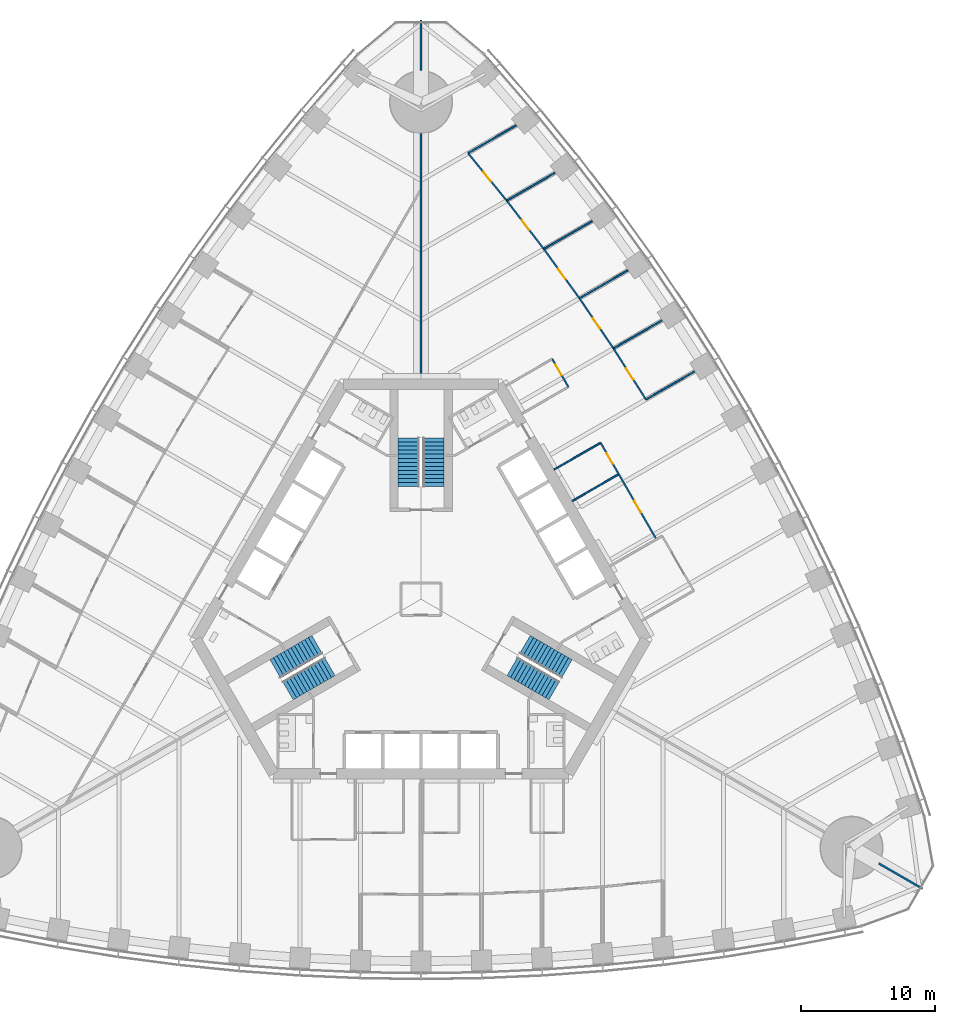
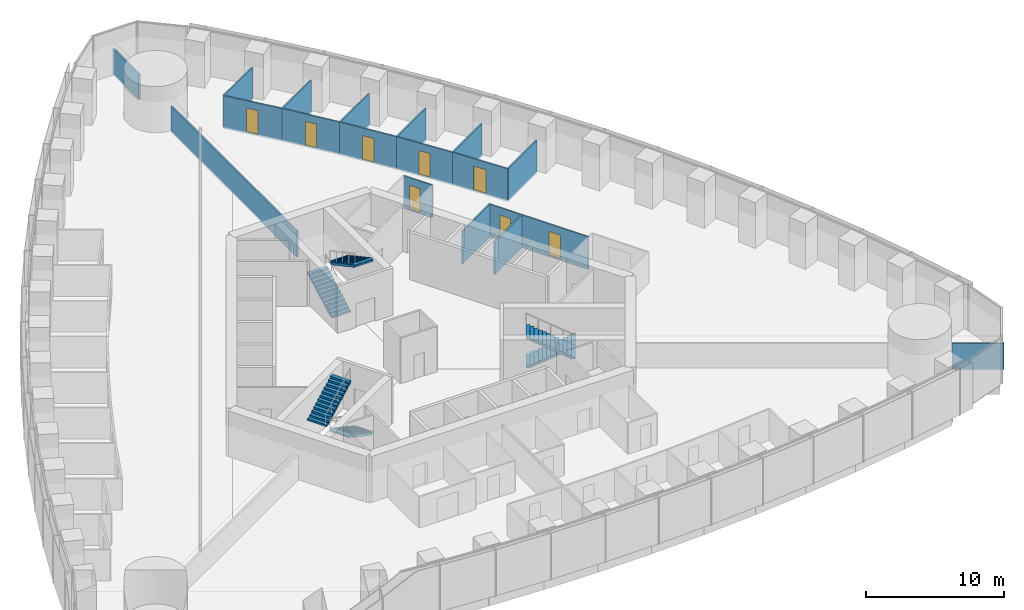
# One storey, part 13 of 18: 19 walls, 8 doors, 6 stair flights, 8 openings, 3 elements without a shape of their own.
"""IFC4 building model written with IfcOpenShell, lengths in metres."""

import ifcopenshell
import ifcopenshell.guid

model = None  # the IFC model being written
_history = None  # IfcOwnerHistory: only IFC2X3 demands one
_inside = {}  # id of a spatial element -> (the spatial element, [elements in it])
_under = {}  # id of a project, library or spatial element -> (it, [spatial elements below it])
_declared = {}  # id of a project -> (the project, [libraries it declares])
_typed = {}  # id of a type object -> (the type object, [elements of that type])
_made_of = {}  # id of a material, layer set ... -> (it, [elements and type objects made of it])


def new_model(schema):
    """Start an empty IFC model of exactly this schema.

    Asked for "IFC4X3", IfcOpenShell would pick the latest addendum, in which some entities
    have other attributes; the version numbers below select the first issue.
    IFC2X3 requires an IfcOwnerHistory on every rooted entity: one is made here for all.
    """
    global model, _history
    if schema == "IFC4X3":
        model = ifcopenshell.file(schema_version=(4, 3, 0, 0))
    else:
        model = ifcopenshell.file(schema=schema)
    _inside.clear()
    _under.clear()
    _declared.clear()
    _typed.clear()
    _made_of.clear()
    _history = None
    if model.schema == "IFC2X3":
        org = make("IfcOrganization", Name="unknown")
        user = make(
            "IfcPersonAndOrganization",
            ThePerson=make("IfcPerson", FamilyName="unknown"),
            TheOrganization=org,
        )
        app = make(
            "IfcApplication",
            ApplicationDeveloper=org,
            Version="unknown",
            ApplicationFullName="unknown",
            ApplicationIdentifier="unknown",
        )
        _history = make(
            "IfcOwnerHistory",
            OwningUser=user,
            OwningApplication=app,
            ChangeAction="ADDED",
            CreationDate=0,
        )
    return model


def make(cls, **values):
    """One entity of the class cls with the attributes given. An attribute that is None is left unset."""
    return model.create_entity(
        cls, **{name: value for name, value in values.items() if value is not None}
    )


def rooted(cls, **values):
    """An entity with a GlobalId (a new one), such as an element, a storey or a relation."""
    return make(cls, GlobalId=ifcopenshell.guid.new(), OwnerHistory=_history, **values)


def si_unit(unit_type, name, prefix=None):
    """IfcSIUnit, for example si_unit("LENGTHUNIT", "METRE", prefix="MILLI")."""
    return make("IfcSIUnit", UnitType=unit_type, Prefix=prefix, Name=name)


def assignment(units):
    """IfcUnitAssignment: the units of a project."""
    return None if units is None else make("IfcUnitAssignment", Units=units)


def point(xyz):
    """IfcCartesianPoint."""
    return None if xyz is None else make("IfcCartesianPoint", Coordinates=xyz)


def direction(xyz):
    """IfcDirection."""
    return None if xyz is None else make("IfcDirection", DirectionRatios=xyz)


def frame(location, z_axis=None, x_axis=None):
    """IfcAxis2Placement3D, a coordinate frame: its origin and axes. An axis left out is left unset."""
    return make(
        "IfcAxis2Placement3D",
        Location=point(location),
        Axis=direction(z_axis),
        RefDirection=direction(x_axis),
    )


def frame_2d(location, x_axis=None):
    """IfcAxis2Placement2D, a coordinate frame in the plane: its origin and x axis."""
    return make(
        "IfcAxis2Placement2D", Location=point(location), RefDirection=direction(x_axis)
    )


def origin():
    """The frame at (0, 0, 0) with its axes left unset."""
    return frame((0.0, 0.0, 0.0))


def place(relative_to, where):
    """IfcLocalPlacement: puts the frame where relative to a parent placement (None: the world)."""
    return make(
        "IfcLocalPlacement", PlacementRelTo=relative_to, RelativePlacement=where
    )


def context(
    kind, dimensions, precision=None, world=None, true_north=None, identifier=None
):
    """IfcGeometricRepresentationContext, for example the 3D "Model" context."""
    return make(
        "IfcGeometricRepresentationContext",
        ContextIdentifier=identifier,
        ContextType=kind,
        CoordinateSpaceDimension=dimensions,
        Precision=precision,
        WorldCoordinateSystem=world,
        TrueNorth=true_north,
    )


def subcontext(parent, identifier, kind, view, scale=None):
    """IfcGeometricRepresentationSubContext, for example "Body" below "Model"."""
    return make(
        "IfcGeometricRepresentationSubContext",
        ContextIdentifier=identifier,
        ContextType=kind,
        ParentContext=parent,
        TargetScale=scale,
        TargetView=view,
    )


def project(units=None, contexts=None):
    """IfcProject with its units and contexts."""
    return rooted(
        "IfcProject",
        Name="project",
        RepresentationContexts=contexts,
        UnitsInContext=assignment(units),
    )


def spatial(cls, under=None, at=None, **own):
    """A site, building, storey or space (cls), placed at a placement, below another one or the project."""
    s = rooted(cls, ObjectPlacement=at, **own)
    if under is not None:
        _under.setdefault(under.id(), (under, []))[1].append(s)
    return s


def polyline(points):
    """IfcPolyline through the points."""
    return make("IfcPolyline", Points=[point(p) for p in points])


def profile(cls, at=None, kind="AREA", **sizes):
    """A parametric profile (cls). Its sizes go by their IFC names, for example OverallWidth=200.0."""
    return make(cls, ProfileType=kind, Position=at, **sizes)


def rectangle(**sizes):
    """IfcRectangleProfileDef."""
    return profile("IfcRectangleProfileDef", **sizes)


def outline(outer, holes=None, kind="AREA"):
    """IfcArbitraryClosedProfileDef: a profile drawn as a closed curve; with holes, ...WithVoids."""
    if holes is None:
        return make("IfcArbitraryClosedProfileDef", ProfileType=kind, OuterCurve=outer)
    return make(
        "IfcArbitraryProfileDefWithVoids",
        ProfileType=kind,
        OuterCurve=outer,
        InnerCurves=holes,
    )


def extrude(swept, where, along, depth):
    """IfcExtrudedAreaSolid: the profile swept, set in the frame where, extruded along a direction by depth."""
    return make(
        "IfcExtrudedAreaSolid",
        SweptArea=swept,
        Position=where,
        ExtrudedDirection=direction(along),
        Depth=depth,
    )


def shape(context_of_items, identifier, shape_type, items):
    """IfcShapeRepresentation: the items that make up one representation, for example the "Body"."""
    return make(
        "IfcShapeRepresentation",
        ContextOfItems=context_of_items,
        RepresentationIdentifier=identifier,
        RepresentationType=shape_type,
        Items=items,
    )


def material(Name=None, Category=None):
    """IfcMaterial."""
    return make("IfcMaterial", Name=Name, Category=Category)


def layer(
    of_material, thickness, ventilated=None, Name=None, Category=None, Priority=None
):
    """IfcMaterialLayer: one layer of a wall or slab, of a material (None: an air gap)."""
    return make(
        "IfcMaterialLayer",
        Material=of_material,
        LayerThickness=thickness,
        IsVentilated=ventilated,
        Name=Name,
        Category=Category,
        Priority=Priority,
    )


def layer_set(layers, Name=None):
    """IfcMaterialLayerSet."""
    return make("IfcMaterialLayerSet", MaterialLayers=layers, LayerSetName=Name)


def made_of(thing, what):
    """Note that an element or type object is made of a material, layer set ...; save() writes the relation."""
    if what is not None:
        _made_of.setdefault(what.id(), (what, []))[1].append(thing)
    return thing


def type_object(cls, material=None, **own):
    """A type object (cls), such as IfcWallType, which elements share."""
    return made_of(rooted(cls, **own), material)


def element(
    cls,
    number,
    at=None,
    inside=None,
    cuts=None,
    type_object=None,
    material=None,
    context=None,
    identifier="Body",
    shape_type=None,
    held_by="IfcProductDefinitionShape",
    body=None,
    shapes=None,
    **own,
):
    """One element of the class cls, such as IfcWall. Its Tag is "e" and its number.

    at: its placement. inside: the storey or other place that contains it. cuts: it is an
    opening in that element (IfcRelVoidsElement). A single representation is given by context,
    identifier, shape_type and body (its items); several are given by shapes. held_by: the class
    of the entity that holds the representations. save() writes the other relations.
    """
    e = rooted(cls, Tag="e%d" % number, ObjectPlacement=at, **own)
    if body is not None:
        shapes = [shape(context, identifier, shape_type, body)]
    if shapes is not None:
        e.Representation = make(held_by, Representations=shapes)
    if inside is not None:
        _inside.setdefault(inside.id(), (inside, []))[1].append(e)
    if cuts is not None:
        rooted(
            "IfcRelVoidsElement", RelatingBuildingElement=cuts, RelatedOpeningElement=e
        )
    if type_object is not None:
        _typed.setdefault(type_object.id(), (type_object, []))[1].append(e)
    return made_of(e, material)


def fill(opening, filler):
    """IfcRelFillsElement: the door or window that sits in an opening."""
    return rooted(
        "IfcRelFillsElement",
        RelatingOpeningElement=opening,
        RelatedBuildingElement=filler,
    )


def aggregate(whole, parts):
    """IfcRelAggregates: a whole, such as a stair, and the parts it consists of."""
    return rooted("IfcRelAggregates", RelatingObject=whole, RelatedObjects=parts)


def save(model, path):
    """Write the relations noted so far, then the file.

    IfcRelAggregates (storeys below a building ...), IfcRelContainedInSpatialStructure (elements
    in a storey), IfcRelDefinesByType, IfcRelAssociatesMaterial and IfcRelDeclares: one each for
    every whole, place, type object, material and project.
    """
    for whole, parts in _under.values():
        aggregate(whole, parts)
    for where, things in _inside.values():
        rooted(
            "IfcRelContainedInSpatialStructure",
            RelatedElements=things,
            RelatingStructure=where,
        )
    for kind, things in _typed.values():
        rooted("IfcRelDefinesByType", RelatedObjects=things, RelatingType=kind)
    for what, things in _made_of.values():
        rooted("IfcRelAssociatesMaterial", RelatedObjects=things, RelatingMaterial=what)
    for by, libraries in _declared.values():
        rooted("IfcRelDeclares", RelatingContext=by, RelatedDefinitions=libraries)
    model.write(path)


model = new_model("IFC4")

# Units and contexts
model_context = context("Model", 3, precision=1e-05, world=origin(), true_north=direction((0.0, 1.0)))
body_context = subcontext(model_context, "Body", "Model", "MODEL_VIEW")
ifc_project = project(units=[si_unit("LENGTHUNIT", "METRE"), si_unit("AREAUNIT", "SQUARE_METRE"), si_unit("VOLUMEUNIT", "CUBIC_METRE"), si_unit("PLANEANGLEUNIT", "RADIAN"), si_unit("MASSUNIT", "GRAM", prefix="KILO")], contexts=[model_context])

# Site, building, storey
site_placement = place(None, origin())
site = spatial("IfcSite", under=ifc_project, at=site_placement, CompositionType="ELEMENT")
building_placement = place(site_placement, origin())
building = spatial("IfcBuilding", under=site, at=building_placement, Name="Trefoil Bronze Tower", CompositionType="ELEMENT")
storey_placement = place(building_placement, frame((0.0, 0.0, 24.89990234375)))
storey = spatial("IfcBuildingStorey", under=building, at=storey_placement, Name="L05", CompositionType="ELEMENT", Elevation=24.89990234375)

# Wall, opening, door
ifc_material_1 = material(Name="Glazed partition", Category="glass")
ifc_layer_1 = layer(ifc_material_1, 0.1201171875)
ifc_layer_set_1 = layer_set([ifc_layer_1], Name="Glazed partition 120")
wall_type_1 = type_object("IfcWallType", Name="Glazed partition 120", PredefinedType="PARTITIONING", material=ifc_layer_set_1)
wall_1_placement = place(storey_placement, frame((14.71875, 9.30615234375, 0.0), z_axis=(0.0, 0.0, 1.0), x_axis=(-0.4999416173, 0.866059108428, 0.0)))
wall_1 = element("IfcWall", 1, at=wall_1_placement, inside=storey, type_object=wall_type_1, Name="Partition F2 L05", PredefinedType="PARTITIONING", context=body_context, shape_type="SweptSolid", body=[
    extrude(rectangle(XDim=2.699951171875, YDim=0.1201171875, at=frame_2d((1.35009765625, 0.0))), origin(), (0.0, 0.0, 1.0), 2.900146484375),
])
opening_1_placement = place(wall_1_placement, frame((0.89990234375, 0.0, 0.14990234375)))
opening_1 = element("IfcOpeningElement", 2, at=opening_1_placement, cuts=wall_1, Name="Opening D8", PredefinedType="OPENING", context=body_context, shape_type="SweptSolid", body=[
    extrude(rectangle(XDim=0.89990234375, YDim=2.10009765625, at=frame_2d((0.449951171875, 1.050048828125))), frame((0.0, 0.070068359375, 0.0), z_axis=(0.0, -1.0, 0.0), x_axis=(1.0, 0.0, 0.0)), (0.0, 0.0, 1.0), 0.14013671875),
])
ifc_material_2 = material(Name="Timber door", Category="wood")
door_type_1 = type_object("IfcDoorType", Name="Office door 900", OperationType="SINGLE_SWING_LEFT", PredefinedType="DOOR", material=ifc_material_2)
door_1_placement = place(opening_1_placement, origin())
door_1 = element("IfcDoor", 3, at=door_1_placement, inside=storey, type_object=door_type_1, Name="Pantry door F2 L05", OperationType="SINGLE_SWING_RIGHT", OverallHeight=2.10009765625, OverallWidth=0.89990234375, PredefinedType="DOOR", context=body_context, shape_type="SweptSolid", body=[
    extrude(rectangle(XDim=0.89990234375, YDim=2.10009765625, at=frame_2d((0.449951171875, 1.050048828125))), frame((0.0, 0.02490234375, 0.0), z_axis=(0.0, -1.0, 0.0), x_axis=(1.0, 0.0, 0.0)), (0.0, 0.0, 1.0), 0.050048828125),
])
fill(opening_1, door_1)

wall_2_placement = place(storey_placement, frame((10.96875, 15.801513671875, 0.0), z_axis=(0.0, 0.0, 1.0), x_axis=(-0.500001309137, 0.866024647952, 0.0)))
wall_2 = element("IfcWall", 4, at=wall_2_placement, inside=storey, type_object=wall_type_1, Name="Partition F2 L05", PredefinedType="PARTITIONING", context=body_context, shape_type="SweptSolid", body=[
    extrude(rectangle(XDim=2.39990234375, YDim=0.1201171875, at=frame_2d((1.199951171875, 0.0))), origin(), (0.0, 0.0, 1.0), 2.900146484375),
])
opening_2_placement = place(wall_2_placement, frame((1.0, 0.0, 0.14990234375)))
opening_2 = element("IfcOpeningElement", 5, at=opening_2_placement, cuts=wall_2, Name="Opening D8", PredefinedType="OPENING", context=body_context, shape_type="SweptSolid", body=[
    extrude(rectangle(XDim=0.89990234375, YDim=2.10009765625, at=frame_2d((0.449951171875, 1.050048828125))), frame((0.0, 0.070068359375, 0.0), z_axis=(0.0, -1.0, 0.0), x_axis=(1.0, 0.0, 0.0)), (0.0, 0.0, 1.0), 0.14013671875),
])
door_2_placement = place(opening_2_placement, origin())
door_2 = element("IfcDoor", 6, at=door_2_placement, inside=storey, type_object=door_type_1, Name="Comms room door F2 L05", OperationType="SINGLE_SWING_RIGHT", OverallHeight=2.10009765625, OverallWidth=0.89990234375, PredefinedType="DOOR", context=body_context, shape_type="SweptSolid", body=[
    extrude(rectangle(XDim=0.89990234375, YDim=2.10009765625, at=frame_2d((0.449951171875, 1.050048828125))), frame((0.0, 0.02490234375, 0.0), z_axis=(0.0, -1.0, 0.0), x_axis=(1.0, 0.0, 0.0)), (0.0, 0.0, 1.0), 0.050048828125),
])
fill(opening_2, door_2)

wall_3_placement = place(storey_placement, frame((17.518798828125, 4.45654296875, 0.0), z_axis=(0.0, 0.0, 1.0), x_axis=(-0.500016814911, 0.866015695474, 0.0)))
wall_3 = element("IfcWall", 7, at=wall_3_placement, inside=storey, type_object=wall_type_1, Name="Partition F2 L05", PredefinedType="PARTITIONING", context=body_context, shape_type="SweptSolid", body=[
    extrude(rectangle(XDim=5.599853515625, YDim=0.1201171875, at=frame_2d((2.7998046875, 0.0))), origin(), (0.0, 0.0, 1.0), 2.900146484375),
])
opening_3_placement = place(wall_3_placement, frame((2.300048828125, 0.0, 0.14990234375)))
opening_3 = element("IfcOpeningElement", 8, at=opening_3_placement, cuts=wall_3, Name="Opening D9", PredefinedType="OPENING", context=body_context, shape_type="SweptSolid", body=[
    extrude(rectangle(XDim=1.0, YDim=2.10009765625, at=frame_2d((0.5, 1.050048828125))), frame((0.0, 0.070068359375, 0.0), z_axis=(0.0, -1.0, 0.0), x_axis=(1.0, 0.0, 0.0)), (0.0, 0.0, 1.0), 0.14013671875),
])
ifc_material_3 = material(Name="Glazed timber door", Category="wood")
door_type_2 = type_object("IfcDoorType", Name="Meeting room door 1000", OperationType="SINGLE_SWING_LEFT", PredefinedType="DOOR", material=ifc_material_3)
door_3_placement = place(opening_3_placement, origin())
door_3 = element("IfcDoor", 9, at=door_3_placement, inside=storey, type_object=door_type_2, Name="Meeting room door F2 L05", OperationType="SINGLE_SWING_LEFT", OverallHeight=2.10009765625, OverallWidth=1.0, PredefinedType="DOOR", context=body_context, shape_type="SweptSolid", body=[
    extrude(rectangle(XDim=1.0, YDim=2.10009765625, at=frame_2d((0.5, 1.050048828125))), frame((0.0, 0.02490234375, 0.0), z_axis=(0.0, -1.0, 0.0), x_axis=(1.0, 0.0, 0.0)), (0.0, 0.0, 1.0), 0.050048828125),
])
fill(opening_3, door_3)

# Walls
for number, where, z_axis, x_axis, name in (
    (10, (11.254638671875, 7.30615234375, 0.0), (0.0, 0.0, 1.0), (0.866026010844, 0.49999894854, 0.0), "Partition F2 L05"),
    (11, (9.90478515625, 9.64453125, 0.0), (0.0, 0.0, 1.0), (0.866026010844, 0.49999894854, 0.0), "Partition F2 L05"),
):
    element("IfcWall", number, at=place(storey_placement, frame(where, z_axis=z_axis, x_axis=x_axis)), inside=storey, type_object=wall_type_1, Name=name, PredefinedType="PARTITIONING", context=body_context, shape_type="SweptSolid", body=[
        extrude(rectangle(XDim=4.0, YDim=0.1201171875, at=frame_2d((2.0, 0.0))), origin(), (0.0, 0.0, 1.0), 2.900146484375),
    ])

# Wall, opening, door
wall_4_placement = place(storey_placement, frame((11.791748046875, 22.396240234375, 0.0), z_axis=(0.0, 0.0, 1.0), x_axis=(-0.585376255171, 0.810761765183, 0.0)))
wall_4 = element("IfcWall", 12, at=wall_4_placement, inside=storey, type_object=wall_type_1, Name="Partition F2 L05", PredefinedType="PARTITIONING", context=body_context, shape_type="SweptSolid", body=[
    extrude(rectangle(XDim=4.5234375, YDim=0.1201171875, at=frame_2d((2.26171875, 0.0))), origin(), (0.0, 0.0, 1.0), 2.900146484375),
])
opening_4_placement = place(wall_4_placement, frame((1.800048828125, 0.0, 0.14990234375)))
opening_4 = element("IfcOpeningElement", 13, at=opening_4_placement, cuts=wall_4, Name="Opening D8", PredefinedType="OPENING", context=body_context, shape_type="SweptSolid", body=[
    extrude(rectangle(XDim=0.89990234375, YDim=2.10009765625, at=frame_2d((0.449951171875, 1.050048828125))), frame((0.0, 0.070068359375, 0.0), z_axis=(0.0, -1.0, 0.0), x_axis=(1.0, 0.0, 0.0)), (0.0, 0.0, 1.0), 0.14013671875),
])
door_4_placement = place(opening_4_placement, frame((0.89990234375, 0.0, 0.0), z_axis=(0.0, 0.0, 1.0), x_axis=(-1.0, 0.0, 0.0)))
door_4 = element("IfcDoor", 14, at=door_4_placement, inside=storey, type_object=door_type_1, Name="Office door F2 L05", OperationType="SINGLE_SWING_RIGHT", OverallHeight=2.10009765625, OverallWidth=0.89990234375, PredefinedType="DOOR", context=body_context, shape_type="SweptSolid", body=[
    extrude(rectangle(XDim=0.89990234375, YDim=2.10009765625, at=frame_2d((0.449951171875, 1.050048828125))), frame((0.0, 0.02490234375, 0.0), z_axis=(0.0, -1.0, 0.0), x_axis=(1.0, 0.0, 0.0)), (0.0, 0.0, 1.0), 0.050048828125),
])
fill(opening_4, door_4)

wall_5_placement = place(storey_placement, frame((9.143798828125, 26.063720703125, 0.0), z_axis=(0.0, 0.0, 1.0), x_axis=(-0.608818785139, 0.79330932609, 0.0)))
wall_5 = element("IfcWall", 15, at=wall_5_placement, inside=storey, type_object=wall_type_1, Name="Partition F2 L05", PredefinedType="PARTITIONING", context=body_context, shape_type="SweptSolid", body=[
    extrude(rectangle(XDim=4.5390625, YDim=0.1201171875, at=frame_2d((2.26953125, 0.0))), origin(), (0.0, 0.0, 1.0), 2.900146484375),
])
opening_5_placement = place(wall_5_placement, frame((1.800048828125, 0.0, 0.14990234375)))
opening_5 = element("IfcOpeningElement", 16, at=opening_5_placement, cuts=wall_5, Name="Opening D8", PredefinedType="OPENING", context=body_context, shape_type="SweptSolid", body=[
    extrude(rectangle(XDim=0.89990234375, YDim=2.10009765625, at=frame_2d((0.449951171875, 1.050048828125))), frame((0.0, 0.070068359375, 0.0), z_axis=(0.0, -1.0, 0.0), x_axis=(1.0, 0.0, 0.0)), (0.0, 0.0, 1.0), 0.14013671875),
])
door_5_placement = place(opening_5_placement, frame((0.89990234375, 0.0, 0.0), z_axis=(0.0, 0.0, 1.0), x_axis=(-1.0, 0.0, 0.0)))
door_5 = element("IfcDoor", 17, at=door_5_placement, inside=storey, type_object=door_type_1, Name="Office door F2 L05", OperationType="SINGLE_SWING_RIGHT", OverallHeight=2.10009765625, OverallWidth=0.89990234375, PredefinedType="DOOR", context=body_context, shape_type="SweptSolid", body=[
    extrude(rectangle(XDim=0.89990234375, YDim=2.10009765625, at=frame_2d((0.449951171875, 1.050048828125))), frame((0.0, 0.02490234375, 0.0), z_axis=(0.0, -1.0, 0.0), x_axis=(1.0, 0.0, 0.0)), (0.0, 0.0, 1.0), 0.050048828125),
])
fill(opening_5, door_5)

wall_6_placement = place(storey_placement, frame((6.38037109375, 29.66455078125, 0.0), z_axis=(0.0, 0.0, 1.0), x_axis=(-0.631801700012, 0.775130061256, 0.0)))
wall_6 = element("IfcWall", 18, at=wall_6_placement, inside=storey, type_object=wall_type_1, Name="Partition F2 L05", PredefinedType="PARTITIONING", context=body_context, shape_type="SweptSolid", body=[
    extrude(rectangle(XDim=4.55810546875, YDim=0.1201171875, at=frame_2d((2.279052734375, 0.0))), origin(), (0.0, 0.0, 1.0), 2.900146484375),
])
opening_6_placement = place(wall_6_placement, frame((1.85009765625, 0.0, 0.14990234375)))
opening_6 = element("IfcOpeningElement", 19, at=opening_6_placement, cuts=wall_6, Name="Opening D8", PredefinedType="OPENING", context=body_context, shape_type="SweptSolid", body=[
    extrude(rectangle(XDim=0.89990234375, YDim=2.10009765625, at=frame_2d((0.449951171875, 1.050048828125))), frame((0.0, 0.070068359375, 0.0), z_axis=(0.0, -1.0, 0.0), x_axis=(1.0, 0.0, 0.0)), (0.0, 0.0, 1.0), 0.14013671875),
])
door_6_placement = place(opening_6_placement, frame((0.89990234375, 0.0, 0.0), z_axis=(0.0, 0.0, 1.0), x_axis=(-1.0, 0.0, 0.0)))
door_6 = element("IfcDoor", 20, at=door_6_placement, inside=storey, type_object=door_type_1, Name="Office door F2 L05", OperationType="SINGLE_SWING_LEFT", OverallHeight=2.10009765625, OverallWidth=0.89990234375, PredefinedType="DOOR", context=body_context, shape_type="SweptSolid", body=[
    extrude(rectangle(XDim=0.89990234375, YDim=2.10009765625, at=frame_2d((0.449951171875, 1.050048828125))), frame((0.0, 0.02490234375, 0.0), z_axis=(0.0, -1.0, 0.0), x_axis=(1.0, 0.0, 0.0)), (0.0, 0.0, 1.0), 0.050048828125),
])
fill(opening_6, door_6)

wall_7_placement = place(storey_placement, frame((16.744873046875, 14.86376953125, 0.0), z_axis=(0.0, 0.0, 1.0), x_axis=(-0.537205132487, 0.843451626135, 0.0)))
wall_7 = element("IfcWall", 21, at=wall_7_placement, inside=storey, type_object=wall_type_1, Name="Partition F2 L05", PredefinedType="PARTITIONING", context=body_context, shape_type="SweptSolid", body=[
    extrude(rectangle(XDim=4.504150390625, YDim=0.1201171875, at=frame_2d((2.251953125, 0.0))), origin(), (0.0, 0.0, 1.0), 2.900146484375),
])
opening_7_placement = place(wall_7_placement, frame((1.75, 0.0, 0.14990234375)))
opening_7 = element("IfcOpeningElement", 22, at=opening_7_placement, cuts=wall_7, Name="Opening D9", PredefinedType="OPENING", context=body_context, shape_type="SweptSolid", body=[
    extrude(rectangle(XDim=1.0, YDim=2.10009765625, at=frame_2d((0.5, 1.050048828125))), frame((0.0, 0.070068359375, 0.0), z_axis=(0.0, -1.0, 0.0), x_axis=(1.0, 0.0, 0.0)), (0.0, 0.0, 1.0), 0.14013671875),
])
door_7_placement = place(opening_7_placement, frame((1.0, 0.0, 0.0), z_axis=(0.0, 0.0, 1.0), x_axis=(-1.0, 0.0, 0.0)))
door_7 = element("IfcDoor", 23, at=door_7_placement, inside=storey, type_object=door_type_2, Name="Meeting room door F2 L05", OperationType="SINGLE_SWING_RIGHT", OverallHeight=2.10009765625, OverallWidth=1.0, PredefinedType="DOOR", context=body_context, shape_type="SweptSolid", body=[
    extrude(rectangle(XDim=1.0, YDim=2.10009765625, at=frame_2d((0.5, 1.050048828125))), frame((0.0, 0.02490234375, 0.0), z_axis=(0.0, -1.0, 0.0), x_axis=(1.0, 0.0, 0.0)), (0.0, 0.0, 1.0), 0.050048828125),
])
fill(opening_7, door_7)

wall_8_placement = place(storey_placement, frame((14.3251953125, 18.662841796875, 0.0), z_axis=(0.0, 0.0, 1.0), x_axis=(-0.561512004239, 0.827468591002, 0.0)))
wall_8 = element("IfcWall", 24, at=wall_8_placement, inside=storey, type_object=wall_type_1, Name="Partition F2 L05", PredefinedType="PARTITIONING", context=body_context, shape_type="SweptSolid", body=[
    extrude(rectangle(XDim=4.51171875, YDim=0.1201171875, at=frame_2d((2.255859375, 0.0))), origin(), (0.0, 0.0, 1.0), 2.900146484375),
])
opening_8_placement = place(wall_8_placement, frame((1.800048828125, 0.0, 0.14990234375)))
opening_8 = element("IfcOpeningElement", 25, at=opening_8_placement, cuts=wall_8, Name="Opening D8", PredefinedType="OPENING", context=body_context, shape_type="SweptSolid", body=[
    extrude(rectangle(XDim=0.89990234375, YDim=2.10009765625, at=frame_2d((0.449951171875, 1.050048828125))), frame((0.0, 0.070068359375, 0.0), z_axis=(0.0, -1.0, 0.0), x_axis=(1.0, 0.0, 0.0)), (0.0, 0.0, 1.0), 0.14013671875),
])
door_8_placement = place(opening_8_placement, frame((0.89990234375, 0.0, 0.0), z_axis=(0.0, 0.0, 1.0), x_axis=(-1.0, 0.0, 0.0)))
door_8 = element("IfcDoor", 26, at=door_8_placement, inside=storey, type_object=door_type_1, Name="Office door F2 L05", OperationType="SINGLE_SWING_RIGHT", OverallHeight=2.10009765625, OverallWidth=0.89990234375, PredefinedType="DOOR", context=body_context, shape_type="SweptSolid", body=[
    extrude(rectangle(XDim=0.89990234375, YDim=2.10009765625, at=frame_2d((0.449951171875, 1.050048828125))), frame((0.0, 0.02490234375, 0.0), z_axis=(0.0, -1.0, 0.0), x_axis=(1.0, 0.0, 0.0)), (0.0, 0.0, 1.0), 0.050048828125),
])
fill(opening_8, door_8)

# Walls
wall_9_placement = place(storey_placement, frame((11.791748046875, 22.396240234375, 0.0), z_axis=(0.0, 0.0, 1.0), x_axis=(0.866011781705, 0.500023593391, 0.0)))
element("IfcWall", 27, at=wall_9_placement, inside=storey, type_object=wall_type_1, Name="Partition F2 L05", PredefinedType="PARTITIONING", context=body_context, shape_type="SweptSolid", body=[
    extrude(rectangle(XDim=4.163818359375, YDim=0.1201171875, at=frame_2d((2.08203125, 0.0))), origin(), (0.0, 0.0, 1.0), 2.900146484375),
])
wall_10_placement = place(storey_placement, frame((9.143798828125, 26.063720703125, 0.0), z_axis=(0.0, 0.0, 1.0), x_axis=(0.866031144707, 0.499990056298, 0.0)))
element("IfcWall", 28, at=wall_10_placement, inside=storey, type_object=wall_type_1, Name="Partition F2 L05", PredefinedType="PARTITIONING", context=body_context, shape_type="SweptSolid", body=[
    extrude(rectangle(XDim=4.1591796875, YDim=0.1201171875, at=frame_2d((2.07958984375, 0.0))), origin(), (0.0, 0.0, 1.0), 2.900146484375),
])
wall_11_placement = place(storey_placement, frame((6.38037109375, 29.66455078125, 0.0), z_axis=(0.0, 0.0, 1.0), x_axis=(0.866027987673, 0.499995524547, 0.0)))
element("IfcWall", 29, at=wall_11_placement, inside=storey, type_object=wall_type_1, Name="Partition F2 L05", PredefinedType="PARTITIONING", context=body_context, shape_type="SweptSolid", body=[
    extrude(rectangle(XDim=4.1533203125, YDim=0.1201171875, at=frame_2d((2.07666015625, 0.0))), origin(), (0.0, 0.0, 1.0), 2.900146484375),
])
wall_12_placement = place(storey_placement, frame((3.50048828125, 33.19775390625, 0.0), z_axis=(0.0, 0.0, 1.0), x_axis=(0.865998262296, 0.500047007491, 0.0)))
element("IfcWall", 30, at=wall_12_placement, inside=storey, type_object=wall_type_1, Name="Partition F2 L05", PredefinedType="PARTITIONING", context=body_context, shape_type="SweptSolid", body=[
    extrude(rectangle(XDim=4.1455078125, YDim=0.1201171875, at=frame_2d((2.07275390625, 0.0))), origin(), (0.0, 0.0, 1.0), 2.900146484375),
])
wall_13_placement = place(storey_placement, frame((16.744873046875, 14.86376953125, 0.0), z_axis=(0.0, 0.0, 1.0), x_axis=(0.866025669538, 0.499999539701, 0.0)))
element("IfcWall", 31, at=wall_13_placement, inside=storey, type_object=wall_type_1, Name="Partition F2 L05", PredefinedType="PARTITIONING", context=body_context, shape_type="SweptSolid", body=[
    extrude(rectangle(XDim=4.16943359375, YDim=0.1201171875, at=frame_2d((2.084716796875, 0.0))), origin(), (0.0, 0.0, 1.0), 2.900146484375),
])
wall_14_placement = place(storey_placement, frame((14.3251953125, 18.662841796875, 0.0), z_axis=(0.0, 0.0, 1.0), x_axis=(0.866009971343, 0.50002672882, 0.0)))
element("IfcWall", 32, at=wall_14_placement, inside=storey, type_object=wall_type_1, Name="Partition F2 L05", PredefinedType="PARTITIONING", context=body_context, shape_type="SweptSolid", body=[
    extrude(rectangle(XDim=4.167236328125, YDim=0.1201171875, at=frame_2d((2.08349609375, 0.0))), origin(), (0.0, 0.0, 1.0), 2.900146484375),
])
ifc_material_4 = material(Name="Gypsum board on steel studs", Category="steel")
ifc_layer_2 = layer(ifc_material_4, 0.14990234375)
ifc_layer_set_2 = layer_set([ifc_layer_2], Name="Party wall 150")
wall_type_2 = type_object("IfcWallType", Name="Party wall 150", PredefinedType="PARTITIONING", material=ifc_layer_set_2)
wall_15_placement = place(storey_placement, frame((34.078125, -19.675048828125, 0.0), z_axis=(0.0, 0.0, 1.0), x_axis=(0.866019247219, -0.500010663332, 0.0)))
element("IfcWall", 33, at=wall_15_placement, inside=storey, type_object=wall_type_2, Name="Party wall K1 L05", PredefinedType="PARTITIONING", context=body_context, shape_type="SweptSolid", body=[
    extrude(rectangle(XDim=3.76416015625, YDim=0.14990234375, at=frame_2d((1.882080078125, 0.0))), origin(), (0.0, 0.0, 1.0), 2.300048828125),
])
wall_16_placement = place(storey_placement, frame((0.0, 16.39990234375, 0.0), z_axis=(0.0, 0.0, 1.0), x_axis=(0.0, 1.0, 0.0)))
element("IfcWall", 34, at=wall_16_placement, inside=storey, type_object=wall_type_2, Name="Party wall K2 L05", PredefinedType="PARTITIONING", context=body_context, shape_type="SweptSolid", body=[
    extrude(rectangle(XDim=18.25, YDim=0.14990234375, at=frame_2d((9.125, 0.0))), origin(), (0.0, 0.0, 1.0), 2.300048828125),
])
wall_17_placement = place(storey_placement, frame((0.0, 39.35009765625, 0.0), z_axis=(0.0, 0.0, 1.0), x_axis=(0.0, 1.0, 0.0)))
element("IfcWall", 35, at=wall_17_placement, inside=storey, type_object=wall_type_2, Name="Party wall K2 L05", PredefinedType="PARTITIONING", context=body_context, shape_type="SweptSolid", body=[
    extrude(rectangle(XDim=3.763916015625, YDim=0.14990234375, at=frame_2d((1.8818359375, 0.0))), origin(), (0.0, 0.0, 1.0), 2.300048828125),
])

# Stair, stair flights
ifc_material_5 = material(Name="Precast concrete B80", Category="concrete")
stair_type = type_object("IfcStairType", Name="Exit stair 26 risers", PredefinedType="HALF_TURN_STAIR", material=ifc_material_5)
stair_1_placement = place(storey_placement, origin())
stair_1 = element("IfcStair", 36, at=stair_1_placement, inside=storey, type_object=stair_type, Name="Stair ST1 L05", PredefinedType="HALF_TURN_STAIR")
ifc_material_6 = material(Name="Precast concrete B80", Category="concrete")
stair_flight_type = type_object("IfcStairFlightType", Name="Stair flight 1600", PredefinedType="STRAIGHT", material=ifc_material_6)
stair_flight_1_placement = place(storey_placement, frame((7.728515625, -3.39404296875, 0.0), z_axis=(0.0, 0.0, 1.0), x_axis=(0.866025403784, -0.5, 0.0)))
stair_flight_1 = element("IfcStairFlight", 37, at=stair_flight_1_placement, type_object=stair_flight_type, Name="ST1 flight 1", NumberOfRisers=13, NumberOfTreads=12, PredefinedType="STRAIGHT", RiserHeight=0.161538462, TreadLength=0.3, context=body_context, shape_type="SweptSolid", body=[
    extrude(outline(polyline([(0.0, 0.0), (0.0, 0.16162109375), (0.300048828125, 0.16162109375), (0.300048828125, 0.322998046875), (0.60009765625, 0.322998046875), (0.60009765625, 0.484619140625), (0.89990234375, 0.484619140625), (0.89990234375, 0.646240234375), (1.199951171875, 0.646240234375), (1.199951171875, 0.8076171875), (1.5, 0.8076171875), (1.5, 0.96923828125), (1.800048828125, 0.96923828125), (1.800048828125, 1.130859375), (2.10009765625, 1.130859375), (2.10009765625, 1.292236328125), (2.39990234375, 1.292236328125), (2.39990234375, 1.453857421875), (2.699951171875, 1.453857421875), (2.699951171875, 1.615478515625), (3.0, 1.615478515625), (3.0, 1.77685546875), (3.300048828125, 1.77685546875), (3.300048828125, 1.9384765625), (3.60009765625, 1.9384765625), (3.60009765625, 2.10009765625), (3.60009765625, 1.768310546875), (0.316162109375, 0.0), (0.0, 0.0)])), frame((0.0, 0.800048828125, 0.0), z_axis=(0.0, -1.0, 0.0), x_axis=(1.0, 0.0, 0.0)), (0.0, 0.0, 1.0), 1.60009765625),
])
stair_flight_2_placement = place(storey_placement, frame((9.921142578125, -6.796142578125, 2.10009765625), z_axis=(0.0, 0.0, 1.0), x_axis=(-0.866025403784, 0.5, 0.0)))
stair_flight_2 = element("IfcStairFlight", 38, at=stair_flight_2_placement, type_object=stair_flight_type, Name="ST1 flight 2", NumberOfRisers=13, NumberOfTreads=12, PredefinedType="STRAIGHT", RiserHeight=0.161538462, TreadLength=0.3, context=body_context, shape_type="SweptSolid", body=[
    extrude(outline(polyline([(0.0, 0.0), (0.0, 0.16162109375), (0.300048828125, 0.16162109375), (0.300048828125, 0.322998046875), (0.60009765625, 0.322998046875), (0.60009765625, 0.484619140625), (0.89990234375, 0.484619140625), (0.89990234375, 0.646240234375), (1.199951171875, 0.646240234375), (1.199951171875, 0.8076171875), (1.5, 0.8076171875), (1.5, 0.96923828125), (1.800048828125, 0.96923828125), (1.800048828125, 1.130859375), (2.10009765625, 1.130859375), (2.10009765625, 1.292236328125), (2.39990234375, 1.292236328125), (2.39990234375, 1.453857421875), (2.699951171875, 1.453857421875), (2.699951171875, 1.615478515625), (3.0, 1.615478515625), (3.0, 1.77685546875), (3.300048828125, 1.77685546875), (3.300048828125, 1.9384765625), (3.60009765625, 1.9384765625), (3.60009765625, 2.10009765625), (3.60009765625, 1.768310546875), (0.316162109375, 0.0), (0.0, 0.0)])), frame((0.0, 0.800048828125, 0.0), z_axis=(0.0, -1.0, 0.0), x_axis=(1.0, 0.0, 0.0)), (0.0, 0.0, 1.0), 1.60009765625),
])
aggregate(stair_1, [stair_flight_1, stair_flight_2])

stair_2_placement = place(storey_placement, origin())
stair_2 = element("IfcStair", 39, at=stair_2_placement, inside=storey, type_object=stair_type, Name="Stair ST2 L05", PredefinedType="HALF_TURN_STAIR")
stair_flight_3_placement = place(storey_placement, frame((-0.925048828125, 8.389892578125, 0.0), z_axis=(0.0, 0.0, 1.0), x_axis=(0.0, 1.0, 0.0)))
stair_flight_3 = element("IfcStairFlight", 40, at=stair_flight_3_placement, type_object=stair_flight_type, Name="ST2 flight 1", NumberOfRisers=13, NumberOfTreads=12, PredefinedType="STRAIGHT", RiserHeight=0.161538462, TreadLength=0.3, context=body_context, shape_type="SweptSolid", body=[
    extrude(outline(polyline([(0.0, 0.0), (0.0, 0.16162109375), (0.300048828125, 0.16162109375), (0.300048828125, 0.322998046875), (0.60009765625, 0.322998046875), (0.60009765625, 0.484619140625), (0.89990234375, 0.484619140625), (0.89990234375, 0.646240234375), (1.199951171875, 0.646240234375), (1.199951171875, 0.8076171875), (1.5, 0.8076171875), (1.5, 0.96923828125), (1.800048828125, 0.96923828125), (1.800048828125, 1.130859375), (2.10009765625, 1.130859375), (2.10009765625, 1.292236328125), (2.39990234375, 1.292236328125), (2.39990234375, 1.453857421875), (2.699951171875, 1.453857421875), (2.699951171875, 1.615478515625), (3.0, 1.615478515625), (3.0, 1.77685546875), (3.300048828125, 1.77685546875), (3.300048828125, 1.9384765625), (3.60009765625, 1.9384765625), (3.60009765625, 2.10009765625), (3.60009765625, 1.768310546875), (0.316162109375, 0.0), (0.0, 0.0)])), frame((0.0, 0.800048828125, 0.0), z_axis=(0.0, -1.0, 0.0), x_axis=(1.0, 0.0, 0.0)), (0.0, 0.0, 1.0), 1.60009765625),
])
stair_flight_4_placement = place(storey_placement, frame((0.925048828125, 11.989990234375, 2.10009765625), z_axis=(0.0, 0.0, 1.0), x_axis=(0.0, -1.0, 0.0)))
stair_flight_4 = element("IfcStairFlight", 41, at=stair_flight_4_placement, type_object=stair_flight_type, Name="ST2 flight 2", NumberOfRisers=13, NumberOfTreads=12, PredefinedType="STRAIGHT", RiserHeight=0.161538462, TreadLength=0.3, context=body_context, shape_type="SweptSolid", body=[
    extrude(outline(polyline([(0.0, 0.0), (0.0, 0.16162109375), (0.300048828125, 0.16162109375), (0.300048828125, 0.322998046875), (0.60009765625, 0.322998046875), (0.60009765625, 0.484619140625), (0.89990234375, 0.484619140625), (0.89990234375, 0.646240234375), (1.199951171875, 0.646240234375), (1.199951171875, 0.8076171875), (1.5, 0.8076171875), (1.5, 0.96923828125), (1.800048828125, 0.96923828125), (1.800048828125, 1.130859375), (2.10009765625, 1.130859375), (2.10009765625, 1.292236328125), (2.39990234375, 1.292236328125), (2.39990234375, 1.453857421875), (2.699951171875, 1.453857421875), (2.699951171875, 1.615478515625), (3.0, 1.615478515625), (3.0, 1.77685546875), (3.300048828125, 1.77685546875), (3.300048828125, 1.9384765625), (3.60009765625, 1.9384765625), (3.60009765625, 2.10009765625), (3.60009765625, 1.768310546875), (0.316162109375, 0.0), (0.0, 0.0)])), frame((0.0, 0.800048828125, 0.0), z_axis=(0.0, -1.0, 0.0), x_axis=(1.0, 0.0, 0.0)), (0.0, 0.0, 1.0), 1.60009765625),
])
aggregate(stair_2, [stair_flight_3, stair_flight_4])

stair_3_placement = place(storey_placement, origin())
stair_3 = element("IfcStair", 42, at=stair_3_placement, inside=storey, type_object=stair_type, Name="Stair ST3 L05", PredefinedType="HALF_TURN_STAIR")
stair_flight_5_placement = place(storey_placement, frame((-6.803466796875, -4.99609375, 0.0), z_axis=(0.0, 0.0, 1.0), x_axis=(-0.866025403784, -0.5, 0.0)))
stair_flight_5 = element("IfcStairFlight", 43, at=stair_flight_5_placement, type_object=stair_flight_type, Name="ST3 flight 1", NumberOfRisers=13, NumberOfTreads=12, PredefinedType="STRAIGHT", RiserHeight=0.161538462, TreadLength=0.3, context=body_context, shape_type="SweptSolid", body=[
    extrude(outline(polyline([(0.0, 0.0), (0.0, 0.16162109375), (0.300048828125, 0.16162109375), (0.300048828125, 0.322998046875), (0.60009765625, 0.322998046875), (0.60009765625, 0.484619140625), (0.89990234375, 0.484619140625), (0.89990234375, 0.646240234375), (1.199951171875, 0.646240234375), (1.199951171875, 0.8076171875), (1.5, 0.8076171875), (1.5, 0.96923828125), (1.800048828125, 0.96923828125), (1.800048828125, 1.130859375), (2.10009765625, 1.130859375), (2.10009765625, 1.292236328125), (2.39990234375, 1.292236328125), (2.39990234375, 1.453857421875), (2.699951171875, 1.453857421875), (2.699951171875, 1.615478515625), (3.0, 1.615478515625), (3.0, 1.77685546875), (3.300048828125, 1.77685546875), (3.300048828125, 1.9384765625), (3.60009765625, 1.9384765625), (3.60009765625, 2.10009765625), (3.60009765625, 1.768310546875), (0.316162109375, 0.0), (0.0, 0.0)])), frame((0.0, 0.800048828125, 0.0), z_axis=(0.0, -1.0, 0.0), x_axis=(1.0, 0.0, 0.0)), (0.0, 0.0, 1.0), 1.60009765625),
])
stair_flight_6_placement = place(storey_placement, frame((-10.84619140625, -5.19384765625, 2.10009765625), z_axis=(0.0, 0.0, 1.0), x_axis=(0.866025403784, 0.5, 0.0)))
stair_flight_6 = element("IfcStairFlight", 44, at=stair_flight_6_placement, type_object=stair_flight_type, Name="ST3 flight 2", NumberOfRisers=13, NumberOfTreads=12, PredefinedType="STRAIGHT", RiserHeight=0.161538462, TreadLength=0.3, context=body_context, shape_type="SweptSolid", body=[
    extrude(outline(polyline([(0.0, 0.0), (0.0, 0.16162109375), (0.300048828125, 0.16162109375), (0.300048828125, 0.322998046875), (0.60009765625, 0.322998046875), (0.60009765625, 0.484619140625), (0.89990234375, 0.484619140625), (0.89990234375, 0.646240234375), (1.199951171875, 0.646240234375), (1.199951171875, 0.8076171875), (1.5, 0.8076171875), (1.5, 0.96923828125), (1.800048828125, 0.96923828125), (1.800048828125, 1.130859375), (2.10009765625, 1.130859375), (2.10009765625, 1.292236328125), (2.39990234375, 1.292236328125), (2.39990234375, 1.453857421875), (2.699951171875, 1.453857421875), (2.699951171875, 1.615478515625), (3.0, 1.615478515625), (3.0, 1.77685546875), (3.300048828125, 1.77685546875), (3.300048828125, 1.9384765625), (3.60009765625, 1.9384765625), (3.60009765625, 2.10009765625), (3.60009765625, 1.768310546875), (0.316162109375, 0.0), (0.0, 0.0)])), frame((0.0, 0.800048828125, 0.0), z_axis=(0.0, -1.0, 0.0), x_axis=(1.0, 0.0, 0.0)), (0.0, 0.0, 1.0), 1.60009765625),
])
aggregate(stair_3, [stair_flight_5, stair_flight_6])

save(model, "model.ifc")
